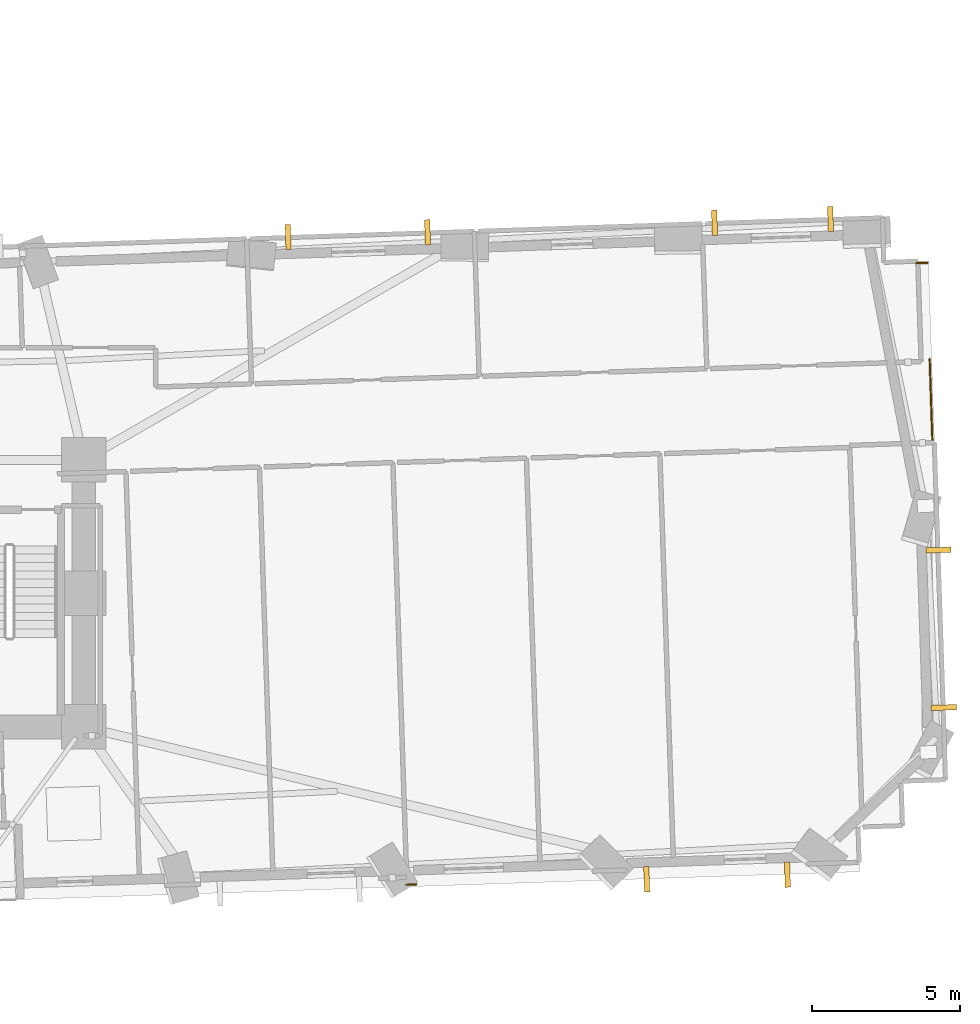
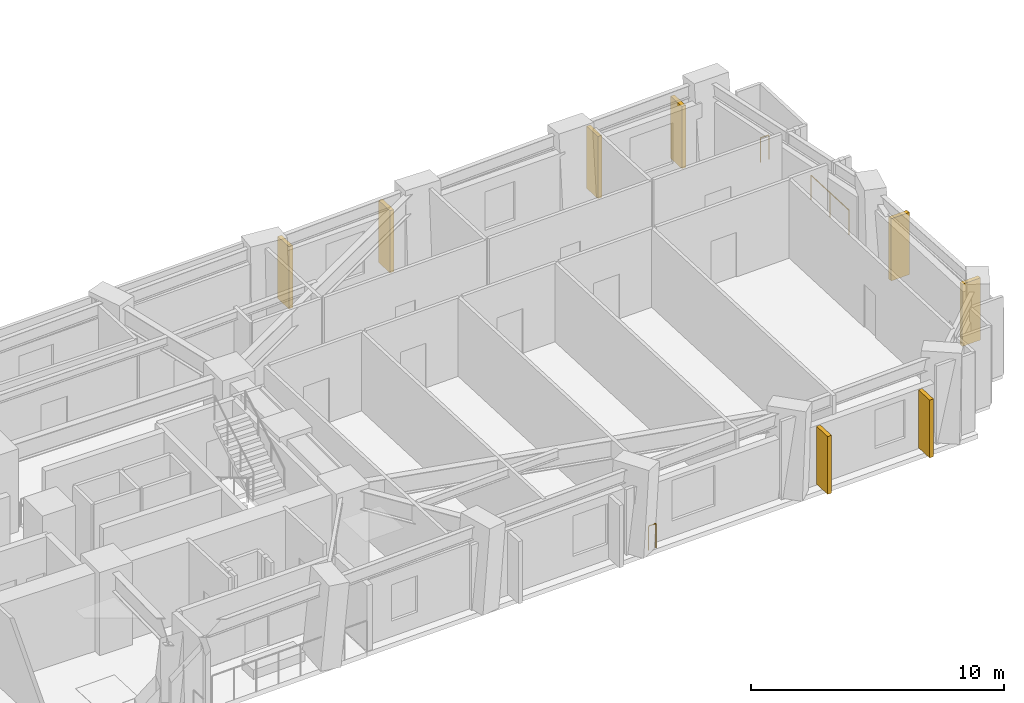
# One storey, part 13 of 14: 8 shading devices, 3 railings.
"""IFC4 building model written with IfcOpenShell, lengths in metres."""

from ifc_helpers import new_model, si_unit, direction, frame, origin, origin_2d, place, context, subcontext, project, spatial, rectangle, circle, extrude, material, layer, layer_set, type_object, element, save


model = new_model("IFC4")

# Units and contexts
model_context = context("Model", 3, precision=1e-05, world=origin(), true_north=direction((0.0, 1.0)))
body_context = subcontext(model_context, "Body", "Model", "MODEL_VIEW")
ifc_project = project(units=[si_unit("LENGTHUNIT", "METRE"), si_unit("AREAUNIT", "SQUARE_METRE"), si_unit("VOLUMEUNIT", "CUBIC_METRE"), si_unit("PLANEANGLEUNIT", "RADIAN"), si_unit("MASSUNIT", "GRAM", prefix="KILO")], contexts=[model_context])

# Site, building, storey
site_placement = place(None, origin())
site = spatial("IfcSite", under=ifc_project, at=site_placement, CompositionType="ELEMENT")
building_placement = place(site_placement, origin())
building = spatial("IfcBuilding", under=site, at=building_placement, Name="Gaonmaruhae Medical Tower", CompositionType="ELEMENT")
storey_placement = place(building_placement, frame((0.0, 0.0, 31.0)))
storey = spatial("IfcBuildingStorey", under=building, at=storey_placement, Name="L06", CompositionType="ELEMENT", Elevation=31.0)

# Railings
ifc_material_1 = material(Name="Stainless steel 316L and laminated safety glass", Category="steel")
ifc_layer = layer(ifc_material_1, 0.080078125)
ifc_layer_set = layer_set([ifc_layer], Name="Stainless steel 316L and laminated safety glass")
railing_type = type_object("IfcRailingType", Name="GD-120 Outdoor Terrace Safety Glass & Steel Balustrade", PredefinedType="BALUSTRADE", material=ifc_layer_set)
railing_1_placement = place(storey_placement, frame((63.648681640625, 23.425537109375, 0.0)))
element("IfcRailing", 1, at=railing_1_placement, inside=storey, type_object=railing_type, Name="L06 Perimeter Slab Edge Safety Balustrade 05", PredefinedType="BALUSTRADE", context=body_context, shape_type="SweptSolid", body=[
    extrude(circle(Radius=0.02392578125, at=origin_2d()), frame((0.0, 0.0, 1.17578125), z_axis=(0.999437995829, 0.033521522841, 0.0), x_axis=(-0.033521522841, 0.999437995829, 0.0)), (0.0, 0.0, 1.0), 0.393310546875),
    extrude(circle(Radius=0.02099609375, at=origin_2d()), origin(), (0.0, 0.0, 1.0), 1.15185546875),
    extrude(circle(Radius=0.02099609375, at=origin_2d()), frame((0.39306640625, 0.01318359375, 0.0)), (0.0, 0.0, 1.0), 1.15185546875),
])
railing_2_placement = place(storey_placement, frame((64.099365234375, 20.19580078125, 0.0)))
element("IfcRailing", 2, at=railing_2_placement, inside=storey, type_object=railing_type, Name="L06 Perimeter Slab Edge Safety Balustrade 06", PredefinedType="BALUSTRADE", context=body_context, shape_type="SweptSolid", body=[
    extrude(circle(Radius=0.02392578125, at=origin_2d()), frame((0.0, 0.0, 1.17578125), z_axis=(0.03320027586, -0.999448718886, 0.0), x_axis=(0.999448718886, 0.03320027586, 0.0)), (0.0, 0.0, 1.0), 2.83837890625),
    extrude(circle(Radius=0.02099609375, at=origin_2d()), origin(), (0.0, 0.0, 1.0), 1.15185546875),
    extrude(circle(Radius=0.02099609375, at=origin_2d()), frame((0.047119140625, -1.41845703125, 0.0)), (0.0, 0.0, 1.0), 1.15185546875),
    extrude(circle(Radius=0.02099609375, at=origin_2d()), frame((0.09423828125, -2.8369140625, 0.0)), (0.0, 0.0, 1.0), 1.15185546875),
])
railing_3_placement = place(storey_placement, frame((46.80078125, 2.495361328125, 0.0)))
element("IfcRailing", 3, at=railing_3_placement, inside=storey, type_object=railing_type, Name="L06 Perimeter Slab Edge Safety Balustrade 07", PredefinedType="BALUSTRADE", context=body_context, shape_type="SweptSolid", body=[
    extrude(circle(Radius=0.02392578125, at=origin_2d()), frame((0.0, 0.0, 1.17578125), z_axis=(-0.999450491192, -0.033146880025, 0.0), x_axis=(0.033146880025, -0.999450491192, 0.0)), (0.0, 0.0, 1.0), 0.3388671875),
    extrude(circle(Radius=0.02099609375, at=origin_2d()), origin(), (0.0, 0.0, 1.0), 1.15185546875),
    extrude(circle(Radius=0.02099609375, at=origin_2d()), frame((-0.338623046875, -0.01123046875, 0.0)), (0.0, 0.0, 1.0), 1.15185546875),
])

# Shading devices
ifc_material_2 = material(Name="Pigmented coral precast concrete C45/55", Category="concrete")
shading_device_type = type_object("IfcShadingDeviceType", Name="SD-FIN1 Tower Vertical Coral Precast Shading Fin", PredefinedType="USERDEFINED", material=ifc_material_2)
for number, where, z_axis, x_axis, name in (
    (4, (59.3076171875, 2.8251953125, 0.0400390625), (0.0, 0.0, 1.0), (-0.999450215942, -0.033155178389, 0.0), "L06 Vertical Coral Precast Shading Fin S07"),
    (5, (54.565673828125, 2.66796875, 0.0400390625), (0.0, 0.0, 1.0), (-0.999450215942, -0.033155178389, 0.0), "L06 Vertical Coral Precast Shading Fin S07B"),
):
    element("IfcShadingDevice", number, at=place(storey_placement, frame(where, z_axis=z_axis, x_axis=x_axis)), inside=storey, type_object=shading_device_type, Name=name, ObjectType="FIN", PredefinedType="USERDEFINED", context=body_context, shape_type="SweptSolid", body=[
        extrude(rectangle(XDim=0.179931640625, YDim=0.85009765625, at=origin_2d()), origin(), (0.0, 0.0, 1.0), 2.784912109375),
    ])
for number, where, z_axis, x_axis, name in (
    (6, (64.39794921875, 13.761962890625, 0.08251953125), (0.0, 0.0, 1.0), (0.033137734686, -0.999450794457, 0.0), "L06 Vertical Coral Precast Shading Fin E01"),
    (7, (64.573974609375, 8.45458984375, 0.08251953125), (0.0, 0.0, 1.0), (0.033137734686, -0.999450794457, 0.0), "L06 Vertical Coral Precast Shading Fin E01B"),
    (8, (56.852783203125, 24.785888671875, 0.08251953125), (0.0, 0.0, 1.0), (0.999450215942, 0.033155178389, 0.0), "L06 Vertical Coral Precast Shading Fin E03"),
    (9, (60.759765625, 24.91552734375, 0.08251953125), (0.0, 0.0, 1.0), (0.999450215942, 0.033155178389, 0.0), "L06 Vertical Coral Precast Shading Fin E03B"),
    (10, (42.486328125, 24.309326171875, 0.08251953125), (0.0, 0.0, 1.0), (0.999450215942, 0.033155178389, 0.0), "L06 Vertical Coral Precast Shading Fin EN02"),
    (11, (47.183349609375, 24.465087890625, 0.08251953125), (0.0, 0.0, 1.0), (0.999450215942, 0.033155178389, 0.0), "L06 Vertical Coral Precast Shading Fin EN02B"),
):
    element("IfcShadingDevice", number, at=place(storey_placement, frame(where, z_axis=z_axis, x_axis=x_axis)), inside=storey, type_object=shading_device_type, Name=name, ObjectType="FIN", PredefinedType="USERDEFINED", context=body_context, shape_type="SweptSolid", body=[
        extrude(rectangle(XDim=0.179931640625, YDim=0.85009765625, at=origin_2d()), origin(), (0.0, 0.0, 1.0), 3.0),
    ])

save(model, "model.ifc")
